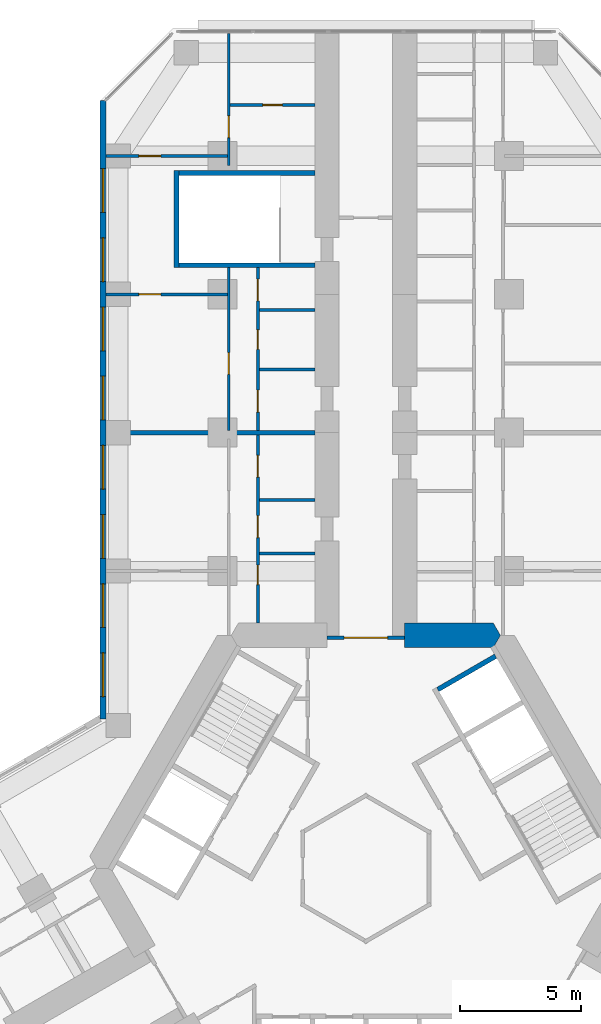
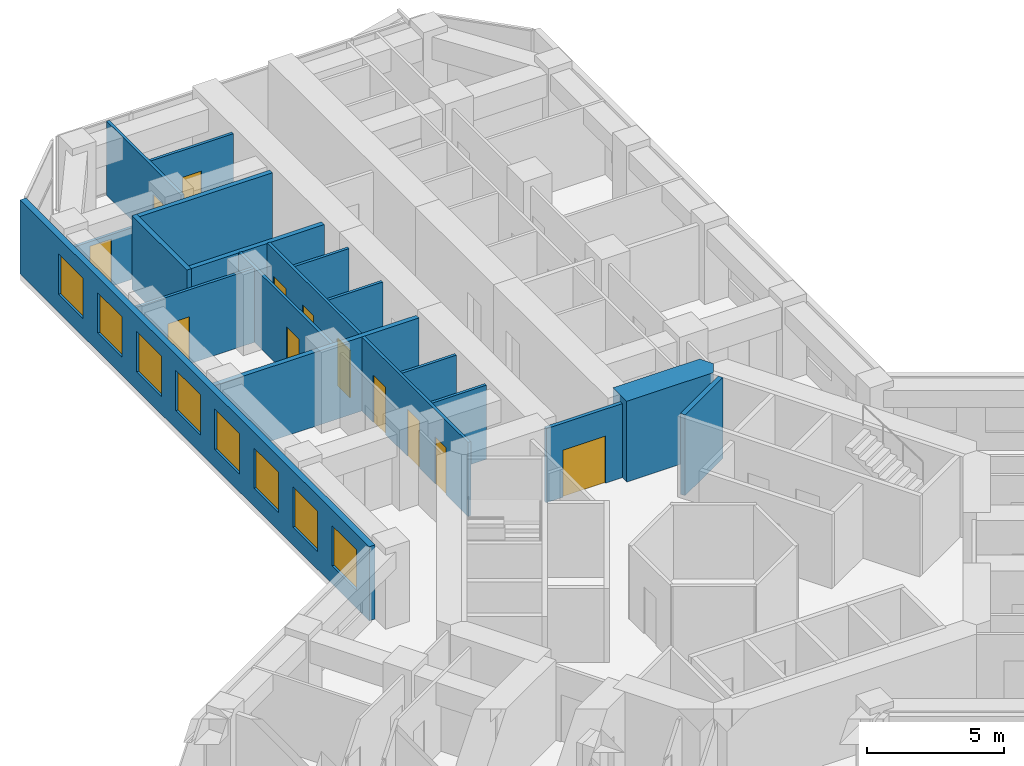
# One storey, part 17 of 21: 19 walls, 12 doors, 8 windows, 20 openings.
"""IFC4 building model written with IfcOpenShell, lengths in metres."""

from ifc_helpers import new_model, si_unit, direction, frame, frame_2d, origin, place, context, subcontext, project, spatial, polyline, rectangle, outline, extrude, material, layer, layer_set, type_object, element, fill, save


model = new_model("IFC4")

# Units and contexts
model_context = context("Model", 3, precision=1e-05, world=origin(), true_north=direction((0.0, 1.0)))
body_context = subcontext(model_context, "Body", "Model", "MODEL_VIEW")
ifc_project = project(units=[si_unit("LENGTHUNIT", "METRE"), si_unit("AREAUNIT", "SQUARE_METRE"), si_unit("VOLUMEUNIT", "CUBIC_METRE"), si_unit("PLANEANGLEUNIT", "RADIAN"), si_unit("MASSUNIT", "GRAM", prefix="KILO")], contexts=[model_context])

# Site, building, storey
site_placement = place(None, origin())
site = spatial("IfcSite", under=ifc_project, at=site_placement, CompositionType="ELEMENT")
building_placement = place(site_placement, origin())
building = spatial("IfcBuilding", under=site, at=building_placement, Name="Kosmar Iwan School Tower", CompositionType="ELEMENT")
storey_placement = place(building_placement, frame((0.0, 0.0, 109.60009765625)))
storey = spatial("IfcBuildingStorey", under=building, at=storey_placement, Name="L27", CompositionType="ELEMENT", Elevation=109.60009765625)

# Wall
ifc_material_1 = material(Name="Concrete C50/60", Category="concrete")
ifc_layer_1 = layer(ifc_material_1, 1.0)
ifc_layer_set_1 = layer_set([ifc_layer_1], Name="Core wall 1000")
wall_type_1 = type_object("IfcWallType", Name="Core wall 1000", PredefinedType="SHEAR", material=ifc_layer_set_1)
wall_1_placement = place(storey_placement, origin())
element("IfcWall", 1, at=wall_1_placement, inside=storey, type_object=wall_type_1, Name="Core wall F090a", PredefinedType="SHEAR", context=body_context, shape_type="SweptSolid", body=[
    extrude(outline(polyline([(1.60009765625, 9.10009765625), (5.25390625, 9.10009765625), (5.54248046875, 9.60009765625), (5.25390625, 10.10009765625), (1.60009765625, 10.10009765625), (1.60009765625, 9.10009765625)])), origin(), (0.0, 0.0, 1.0), 3.599853515625),
])

# Wall, opening, door
ifc_material_2 = material(Name="Steel framed glazed screen", Category="steel")
ifc_layer_2 = layer(ifc_material_2, 0.14990234375)
ifc_layer_set_2 = layer_set([ifc_layer_2], Name="Corridor screen wall 150")
wall_type_2 = type_object("IfcWallType", Name="Corridor screen wall 150", PredefinedType="PARTITIONING", material=ifc_layer_set_2)
wall_2_placement = place(storey_placement, frame((1.60009765625, 9.5, 0.0), z_axis=(0.0, 0.0, 1.0), x_axis=(-1.0, 0.0, 0.0)))
wall_2 = element("IfcWall", 2, at=wall_2_placement, inside=storey, type_object=wall_type_2, Name="Corridor screen A L27", PredefinedType="PARTITIONING", context=body_context, shape_type="SweptSolid", body=[
    extrude(rectangle(XDim=3.2001953125, YDim=0.14990234375, at=frame_2d((1.60009765625, 0.0))), origin(), (0.0, 0.0, 1.0), 3.2998046875),
])
opening_1_placement = place(wall_2_placement, frame((0.699951171875, 0.0, 0.0)))
opening_1 = element("IfcOpeningElement", 3, at=opening_1_placement, cuts=wall_2, Name="Opening D9", PredefinedType="OPENING", context=body_context, shape_type="SweptSolid", body=[
    extrude(rectangle(XDim=1.800048828125, YDim=2.10009765625, at=frame_2d((0.89990234375, 1.050048828125))), frame((0.0, 0.0869140625, 0.0), z_axis=(0.0, -1.0, 0.0), x_axis=(1.0, 0.0, 0.0)), (0.0, 0.0, 1.0), 0.173828125),
])
ifc_material_3 = material(Name="Steel framed glazed smoke door", Category="steel")
door_type_1 = type_object("IfcDoorType", Name="Corridor smoke door pair 1800x2100", OperationType="DOUBLE_DOOR_DOUBLE_SWING", PredefinedType="DOOR", material=ifc_material_3)
door_1_placement = place(opening_1_placement, origin())
door_1 = element("IfcDoor", 4, at=door_1_placement, inside=storey, type_object=door_type_1, Name="Corridor doors A L27", OperationType="DOUBLE_DOOR_DOUBLE_SWING", OverallHeight=2.10009765625, OverallWidth=1.800048828125, PredefinedType="DOOR", context=body_context, shape_type="SweptSolid", body=[
    extrude(rectangle(XDim=1.800048828125, YDim=2.10009765625, at=frame_2d((0.89990234375, 1.050048828125))), frame((0.0, 0.02490234375, 0.0), z_axis=(0.0, -1.0, 0.0), x_axis=(1.0, 0.0, 0.0)), (0.0, 0.0, 1.0), 0.050048828125),
])
fill(opening_1, door_1)

# Wall, openings, doors
ifc_material_4 = material(Name="Gypsum board on steel studs", Category="steel")
ifc_layer_3 = layer(ifc_material_4, 0.1201171875)
ifc_layer_set_3 = layer_set([ifc_layer_3], Name="Dwelling partition 120")
wall_type_3 = type_object("IfcWallType", Name="Dwelling partition 120", PredefinedType="PARTITIONING", material=ifc_layer_set_3)
wall_3_placement = place(storey_placement, frame((-4.449951171875, 10.10009765625, 0.0), z_axis=(0.0, 0.0, 1.0), x_axis=(0.0, 1.0, 0.0)))
wall_3 = element("IfcWall", 5, at=wall_3_placement, inside=storey, type_object=wall_type_3, Name="Partition L27-AL1-W1", PredefinedType="PARTITIONING", context=body_context, shape_type="SweptSolid", body=[
    extrude(rectangle(XDim=7.75, YDim=0.1201171875, at=frame_2d((3.875, 0.0))), origin(), (0.0, 0.0, 1.0), 3.2998046875),
])
opening_2_placement = place(wall_3_placement, frame((1.590087890625, 0.0, 0.0)))
opening_2 = element("IfcOpeningElement", 6, at=opening_2_placement, cuts=wall_3, Name="Opening D3", PredefinedType="OPENING", context=body_context, shape_type="SweptSolid", body=[
    extrude(rectangle(XDim=0.800048828125, YDim=2.10009765625, at=frame_2d((0.39990234375, 1.050048828125))), frame((0.0, 0.072021484375, 0.0), z_axis=(0.0, -1.0, 0.0), x_axis=(1.0, 0.0, 0.0)), (0.0, 0.0, 1.0), 0.14404296875),
])
opening_3_placement = place(wall_3_placement, frame((3.530029296875, 0.0, 0.0)))
opening_3 = element("IfcOpeningElement", 7, at=opening_3_placement, cuts=wall_3, Name="Opening D2", PredefinedType="OPENING", context=body_context, shape_type="SweptSolid", body=[
    extrude(rectangle(XDim=0.89990234375, YDim=2.10009765625, at=frame_2d((0.449951171875, 1.050048828125))), frame((0.0, 0.072021484375, 0.0), z_axis=(0.0, -1.0, 0.0), x_axis=(1.0, 0.0, 0.0)), (0.0, 0.0, 1.0), 0.14404296875),
])
opening_4_placement = place(wall_3_placement, frame((6.014892578125, 0.0, 0.0)))
opening_4 = element("IfcOpeningElement", 8, at=opening_4_placement, cuts=wall_3, Name="Opening D2", PredefinedType="OPENING", context=body_context, shape_type="SweptSolid", body=[
    extrude(rectangle(XDim=0.89990234375, YDim=2.10009765625, at=frame_2d((0.449951171875, 1.050048828125))), frame((0.0, 0.072021484375, 0.0), z_axis=(0.0, -1.0, 0.0), x_axis=(1.0, 0.0, 0.0)), (0.0, 0.0, 1.0), 0.14404296875),
])
ifc_material_5 = material(Name="Timber door in timber frame", Category="wood")
door_type_2 = type_object("IfcDoorType", Name="Internal door 900x2100", OperationType="SINGLE_SWING_LEFT", PredefinedType="DOOR", material=ifc_material_5)
door_2_placement = place(opening_3_placement, origin())
door_2 = element("IfcDoor", 9, at=door_2_placement, inside=storey, type_object=door_type_2, Name="Entrance hall door L27-AL1-S2", OperationType="SINGLE_SWING_RIGHT", OverallHeight=2.10009765625, OverallWidth=0.89990234375, PredefinedType="DOOR", context=body_context, shape_type="SweptSolid", body=[
    extrude(rectangle(XDim=0.89990234375, YDim=2.10009765625, at=frame_2d((0.449951171875, 1.050048828125))), frame((0.0, 0.02490234375, 0.0), z_axis=(0.0, -1.0, 0.0), x_axis=(1.0, 0.0, 0.0)), (0.0, 0.0, 1.0), 0.050048828125),
])
fill(opening_3, door_2)
door_3_placement = place(opening_4_placement, origin())
door_3 = element("IfcDoor", 10, at=door_3_placement, inside=storey, type_object=door_type_2, Name="Pantry door L27-AL1-S3", OperationType="SINGLE_SWING_RIGHT", OverallHeight=2.10009765625, OverallWidth=0.89990234375, PredefinedType="DOOR", context=body_context, shape_type="SweptSolid", body=[
    extrude(rectangle(XDim=0.89990234375, YDim=2.10009765625, at=frame_2d((0.449951171875, 1.050048828125))), frame((0.0, 0.02490234375, 0.0), z_axis=(0.0, -1.0, 0.0), x_axis=(1.0, 0.0, 0.0)), (0.0, 0.0, 1.0), 0.050048828125),
])
fill(opening_4, door_3)
ifc_material_6 = material(Name="Timber door in timber frame", Category="wood")
door_type_3 = type_object("IfcDoorType", Name="Sanitary room door 800x2100", OperationType="SINGLE_SWING_LEFT", PredefinedType="DOOR", material=ifc_material_6)
door_4_placement = place(opening_2_placement, origin())
door_4 = element("IfcDoor", 11, at=door_4_placement, inside=storey, type_object=door_type_3, Name="Bathroom door L27-AL1-S1", OperationType="SINGLE_SWING_LEFT", OverallHeight=2.10009765625, OverallWidth=0.800048828125, PredefinedType="DOOR", context=body_context, shape_type="SweptSolid", body=[
    extrude(rectangle(XDim=0.800048828125, YDim=2.10009765625, at=frame_2d((0.39990234375, 1.050048828125))), frame((0.0, 0.02490234375, 0.0), z_axis=(0.0, -1.0, 0.0), x_axis=(1.0, 0.0, 0.0)), (0.0, 0.0, 1.0), 0.050048828125),
])
fill(opening_2, door_4)

# Walls
for number, where, z_axis, x_axis, name in (
    (12, (-2.10009765625, 12.97998046875, 0.0), (0.0, 0.0, 1.0), (-1.0, 0.0, 0.0), "Partition L27-AL1-Y1"),
    (13, (-2.10009765625, 15.179931640625, 0.0), (0.0, 0.0, 1.0), (-1.0, 0.0, 0.0), "Partition L27-AL1-Y2"),
):
    element("IfcWall", number, at=place(storey_placement, frame(where, z_axis=z_axis, x_axis=x_axis)), inside=storey, type_object=wall_type_3, Name=name, PredefinedType="PARTITIONING", context=body_context, shape_type="SweptSolid", body=[
        extrude(rectangle(XDim=2.289794921875, YDim=0.1201171875, at=frame_2d((1.14501953125, 0.0))), origin(), (0.0, 0.0, 1.0), 3.2998046875),
    ])

# Wall, openings, doors
wall_4_placement = place(storey_placement, frame((-4.449951171875, 18.050048828125, 0.0), z_axis=(0.0, 0.0, 1.0), x_axis=(0.0, 1.0, 0.0)))
wall_4 = element("IfcWall", 14, at=wall_4_placement, inside=storey, type_object=wall_type_3, Name="Partition L27-AL2-W1", PredefinedType="PARTITIONING", context=body_context, shape_type="SweptSolid", body=[
    extrude(rectangle(XDim=6.699951171875, YDim=0.1201171875, at=frame_2d((3.35009765625, 0.0))), origin(), (0.0, 0.0, 1.0), 3.2998046875),
])
opening_5_placement = place(wall_4_placement, frame((0.75, 0.0, 0.0)))
opening_5 = element("IfcOpeningElement", 15, at=opening_5_placement, cuts=wall_4, Name="Opening D2", PredefinedType="OPENING", context=body_context, shape_type="SweptSolid", body=[
    extrude(rectangle(XDim=0.89990234375, YDim=2.10009765625, at=frame_2d((0.449951171875, 1.050048828125))), frame((0.0, 0.072021484375, 0.0), z_axis=(0.0, -1.0, 0.0), x_axis=(1.0, 0.0, 0.0)), (0.0, 0.0, 1.0), 0.14404296875),
])
opening_6_placement = place(wall_4_placement, frame((3.330078125, 0.0, 0.0)))
opening_6 = element("IfcOpeningElement", 16, at=opening_6_placement, cuts=wall_4, Name="Opening D3", PredefinedType="OPENING", context=body_context, shape_type="SweptSolid", body=[
    extrude(rectangle(XDim=0.800048828125, YDim=2.10009765625, at=frame_2d((0.39990234375, 1.050048828125))), frame((0.0, 0.072021484375, 0.0), z_axis=(0.0, -1.0, 0.0), x_axis=(1.0, 0.0, 0.0)), (0.0, 0.0, 1.0), 0.14404296875),
])
opening_7_placement = place(wall_4_placement, frame((5.330078125, 0.0, 0.0)))
opening_7 = element("IfcOpeningElement", 17, at=opening_7_placement, cuts=wall_4, Name="Opening D2", PredefinedType="OPENING", context=body_context, shape_type="SweptSolid", body=[
    extrude(rectangle(XDim=0.89990234375, YDim=2.10009765625, at=frame_2d((0.449951171875, 1.050048828125))), frame((0.0, 0.072021484375, 0.0), z_axis=(0.0, -1.0, 0.0), x_axis=(1.0, 0.0, 0.0)), (0.0, 0.0, 1.0), 0.14404296875),
])
door_5_placement = place(opening_5_placement, origin())
door_5 = element("IfcDoor", 18, at=door_5_placement, inside=storey, type_object=door_type_2, Name="Entrance hall door L27-AL2-S1", OperationType="SINGLE_SWING_LEFT", OverallHeight=2.10009765625, OverallWidth=0.89990234375, PredefinedType="DOOR", context=body_context, shape_type="SweptSolid", body=[
    extrude(rectangle(XDim=0.89990234375, YDim=2.10009765625, at=frame_2d((0.449951171875, 1.050048828125))), frame((0.0, 0.02490234375, 0.0), z_axis=(0.0, -1.0, 0.0), x_axis=(1.0, 0.0, 0.0)), (0.0, 0.0, 1.0), 0.050048828125),
])
fill(opening_5, door_5)
door_6_placement = place(opening_7_placement, frame((0.89990234375, 0.0, 0.0), z_axis=(0.0, 0.0, 1.0), x_axis=(-1.0, 0.0, 0.0)))
door_6 = element("IfcDoor", 19, at=door_6_placement, inside=storey, type_object=door_type_2, Name="Pantry door L27-AL2-S3", OperationType="SINGLE_SWING_LEFT", OverallHeight=2.10009765625, OverallWidth=0.89990234375, PredefinedType="DOOR", context=body_context, shape_type="SweptSolid", body=[
    extrude(rectangle(XDim=0.89990234375, YDim=2.10009765625, at=frame_2d((0.449951171875, 1.050048828125))), frame((0.0, 0.02490234375, 0.0), z_axis=(0.0, -1.0, 0.0), x_axis=(1.0, 0.0, 0.0)), (0.0, 0.0, 1.0), 0.050048828125),
])
fill(opening_7, door_6)
door_7_placement = place(opening_6_placement, origin())
door_7 = element("IfcDoor", 20, at=door_7_placement, inside=storey, type_object=door_type_3, Name="Bathroom door L27-AL2-S2", OperationType="SINGLE_SWING_RIGHT", OverallHeight=2.10009765625, OverallWidth=0.800048828125, PredefinedType="DOOR", context=body_context, shape_type="SweptSolid", body=[
    extrude(rectangle(XDim=0.800048828125, YDim=2.10009765625, at=frame_2d((0.39990234375, 1.050048828125))), frame((0.0, 0.02490234375, 0.0), z_axis=(0.0, -1.0, 0.0), x_axis=(1.0, 0.0, 0.0)), (0.0, 0.0, 1.0), 0.050048828125),
])
fill(opening_6, door_7)

# Wall, opening, door
wall_5_placement = place(storey_placement, frame((-5.64990234375, 18.050048828125, 0.0), z_axis=(0.0, 0.0, 1.0), x_axis=(0.0, 1.0, 0.0)))
wall_5 = element("IfcWall", 21, at=wall_5_placement, inside=storey, type_object=wall_type_3, Name="Partition L27-AL2-W2", PredefinedType="PARTITIONING", context=body_context, shape_type="SweptSolid", body=[
    extrude(rectangle(XDim=6.699951171875, YDim=0.1201171875, at=frame_2d((3.35009765625, 0.0))), origin(), (0.0, 0.0, 1.0), 3.2998046875),
])
opening_8_placement = place(wall_5_placement, frame((2.300048828125, 0.0, 0.0)))
opening_8 = element("IfcOpeningElement", 22, at=opening_8_placement, cuts=wall_5, Name="Opening D2", PredefinedType="OPENING", context=body_context, shape_type="SweptSolid", body=[
    extrude(rectangle(XDim=0.89990234375, YDim=2.10009765625, at=frame_2d((0.449951171875, 1.050048828125))), frame((0.0, 0.072021484375, 0.0), z_axis=(0.0, -1.0, 0.0), x_axis=(1.0, 0.0, 0.0)), (0.0, 0.0, 1.0), 0.14404296875),
])
door_8_placement = place(opening_8_placement, origin())
door_8 = element("IfcDoor", 23, at=door_8_placement, inside=storey, type_object=door_type_2, Name="Studio living room and kitchen door L27-AL2-F1", OperationType="SINGLE_SWING_LEFT", OverallHeight=2.10009765625, OverallWidth=0.89990234375, PredefinedType="DOOR", context=body_context, shape_type="SweptSolid", body=[
    extrude(rectangle(XDim=0.89990234375, YDim=2.10009765625, at=frame_2d((0.449951171875, 1.050048828125))), frame((0.0, 0.02490234375, 0.0), z_axis=(0.0, -1.0, 0.0), x_axis=(1.0, 0.0, 0.0)), (0.0, 0.0, 1.0), 0.050048828125),
])
fill(opening_8, door_8)

# Walls
for number, where, z_axis, x_axis, name in (
    (24, (-2.10009765625, 20.550048828125, 0.0), (0.0, 0.0, 1.0), (-1.0, 0.0, 0.0), "Partition L27-AL2-Y1"),
    (25, (-2.10009765625, 23.010009765625, 0.0), (0.0, 0.0, 1.0), (-1.0, 0.0, 0.0), "Partition L27-AL2-Y2"),
):
    element("IfcWall", number, at=place(storey_placement, frame(where, z_axis=z_axis, x_axis=x_axis)), inside=storey, type_object=wall_type_3, Name=name, PredefinedType="PARTITIONING", context=body_context, shape_type="SweptSolid", body=[
        extrude(rectangle(XDim=2.289794921875, YDim=0.1201171875, at=frame_2d((1.14501953125, 0.0))), origin(), (0.0, 0.0, 1.0), 3.2998046875),
    ])

# Wall, opening, door
wall_6_placement = place(storey_placement, frame((-5.7099609375, 23.64990234375, 0.0), z_axis=(0.0, 0.0, 1.0), x_axis=(-1.0, 0.0, 0.0)))
wall_6 = element("IfcWall", 26, at=wall_6_placement, inside=storey, type_object=wall_type_3, Name="Partition L27-AL2-TB", PredefinedType="PARTITIONING", context=body_context, shape_type="SweptSolid", body=[
    extrude(rectangle(XDim=4.989990234375, YDim=0.1201171875, at=frame_2d((2.4951171875, 0.0))), origin(), (0.0, 0.0, 1.0), 3.2998046875),
])
opening_9_placement = place(wall_6_placement, frame((2.739990234375, 0.0, 0.0)))
opening_9 = element("IfcOpeningElement", 27, at=opening_9_placement, cuts=wall_6, Name="Opening D2", PredefinedType="OPENING", context=body_context, shape_type="SweptSolid", body=[
    extrude(rectangle(XDim=0.89990234375, YDim=2.10009765625, at=frame_2d((0.449951171875, 1.050048828125))), frame((0.0, 0.072021484375, 0.0), z_axis=(0.0, -1.0, 0.0), x_axis=(1.0, 0.0, 0.0)), (0.0, 0.0, 1.0), 0.14404296875),
])
door_9_placement = place(opening_9_placement, origin())
door_9 = element("IfcDoor", 28, at=door_9_placement, inside=storey, type_object=door_type_2, Name="Study door L27-AL2-F1", OperationType="SINGLE_SWING_RIGHT", OverallHeight=2.10009765625, OverallWidth=0.89990234375, PredefinedType="DOOR", context=body_context, shape_type="SweptSolid", body=[
    extrude(rectangle(XDim=0.89990234375, YDim=2.10009765625, at=frame_2d((0.449951171875, 1.050048828125))), frame((0.0, 0.02490234375, 0.0), z_axis=(0.0, -1.0, 0.0), x_axis=(1.0, 0.0, 0.0)), (0.0, 0.0, 1.0), 0.050048828125),
])
fill(opening_9, door_9)

wall_7_placement = place(storey_placement, frame((-5.7099609375, 29.35009765625, 0.0), z_axis=(0.0, 0.0, 1.0), x_axis=(-1.0, 0.0, 0.0)))
wall_7 = element("IfcWall", 29, at=wall_7_placement, inside=storey, type_object=wall_type_3, Name="Partition L27-AL2-TX", PredefinedType="PARTITIONING", context=body_context, shape_type="SweptSolid", body=[
    extrude(rectangle(XDim=4.989990234375, YDim=0.1201171875, at=frame_2d((2.4951171875, 0.0))), origin(), (0.0, 0.0, 1.0), 2.2998046875),
])
opening_10_placement = place(wall_7_placement, frame((2.739990234375, 0.0, 0.0)))
opening_10 = element("IfcOpeningElement", 30, at=opening_10_placement, cuts=wall_7, Name="Opening D2", PredefinedType="OPENING", context=body_context, shape_type="SweptSolid", body=[
    extrude(rectangle(XDim=0.89990234375, YDim=2.10009765625, at=frame_2d((0.449951171875, 1.050048828125))), frame((0.0, 0.072021484375, 0.0), z_axis=(0.0, -1.0, 0.0), x_axis=(1.0, 0.0, 0.0)), (0.0, 0.0, 1.0), 0.14404296875),
])
door_10_placement = place(opening_10_placement, origin())
door_10 = element("IfcDoor", 31, at=door_10_placement, inside=storey, type_object=door_type_2, Name="Study door L27-AL2-T1", OperationType="SINGLE_SWING_RIGHT", OverallHeight=2.10009765625, OverallWidth=0.89990234375, PredefinedType="DOOR", context=body_context, shape_type="SweptSolid", body=[
    extrude(rectangle(XDim=0.89990234375, YDim=2.10009765625, at=frame_2d((0.449951171875, 1.050048828125))), frame((0.0, 0.02490234375, 0.0), z_axis=(0.0, -1.0, 0.0), x_axis=(1.0, 0.0, 0.0)), (0.0, 0.0, 1.0), 0.050048828125),
])
fill(opening_10, door_10)

wall_8_placement = place(storey_placement, frame((-5.64990234375, 28.949951171875, 0.0), z_axis=(0.0, 0.0, 1.0), x_axis=(0.0, 1.0, 0.0)))
wall_8 = element("IfcWall", 32, at=wall_8_placement, inside=storey, type_object=wall_type_3, Name="Partition L27-AL2-TW", PredefinedType="PARTITIONING", context=body_context, shape_type="SweptSolid", body=[
    extrude(rectangle(XDim=5.445068359375, YDim=0.1201171875, at=frame_2d((2.72265625, 0.0))), origin(), (0.0, 0.0, 1.0), 3.2998046875),
])
opening_11_placement = place(wall_8_placement, frame((1.14990234375, 0.0, 0.0)))
opening_11 = element("IfcOpeningElement", 33, at=opening_11_placement, cuts=wall_8, Name="Opening D2", PredefinedType="OPENING", context=body_context, shape_type="SweptSolid", body=[
    extrude(rectangle(XDim=0.89990234375, YDim=2.10009765625, at=frame_2d((0.449951171875, 1.050048828125))), frame((0.0, 0.072021484375, 0.0), z_axis=(0.0, -1.0, 0.0), x_axis=(1.0, 0.0, 0.0)), (0.0, 0.0, 1.0), 0.14404296875),
])
door_11_placement = place(opening_11_placement, origin())
door_11 = element("IfcDoor", 34, at=door_11_placement, inside=storey, type_object=door_type_2, Name="Dressing room door L27-AL2-T3", OperationType="SINGLE_SWING_LEFT", OverallHeight=2.10009765625, OverallWidth=0.89990234375, PredefinedType="DOOR", context=body_context, shape_type="SweptSolid", body=[
    extrude(rectangle(XDim=0.89990234375, YDim=2.10009765625, at=frame_2d((0.449951171875, 1.050048828125))), frame((0.0, 0.02490234375, 0.0), z_axis=(0.0, -1.0, 0.0), x_axis=(1.0, 0.0, 0.0)), (0.0, 0.0, 1.0), 0.050048828125),
])
fill(opening_11, door_11)

wall_9_placement = place(storey_placement, frame((-2.10009765625, 31.449951171875, 0.0), z_axis=(0.0, 0.0, 1.0), x_axis=(-1.0, 0.0, 0.0)))
wall_9 = element("IfcWall", 35, at=wall_9_placement, inside=storey, type_object=wall_type_3, Name="Partition L27-AL2-TY", PredefinedType="PARTITIONING", context=body_context, shape_type="SweptSolid", body=[
    extrude(rectangle(XDim=3.489990234375, YDim=0.1201171875, at=frame_2d((1.7451171875, 0.0))), origin(), (0.0, 0.0, 1.0), 3.2998046875),
])
opening_12_placement = place(wall_9_placement, frame((1.344970703125, 0.0, 0.0)))
opening_12 = element("IfcOpeningElement", 36, at=opening_12_placement, cuts=wall_9, Name="Opening D3", PredefinedType="OPENING", context=body_context, shape_type="SweptSolid", body=[
    extrude(rectangle(XDim=0.800048828125, YDim=2.10009765625, at=frame_2d((0.39990234375, 1.050048828125))), frame((0.0, 0.072021484375, 0.0), z_axis=(0.0, -1.0, 0.0), x_axis=(1.0, 0.0, 0.0)), (0.0, 0.0, 1.0), 0.14404296875),
])
door_12_placement = place(opening_12_placement, origin())
door_12 = element("IfcDoor", 37, at=door_12_placement, inside=storey, type_object=door_type_3, Name="Shower room door L27-AL2-T4", OperationType="SINGLE_SWING_RIGHT", OverallHeight=2.10009765625, OverallWidth=0.800048828125, PredefinedType="DOOR", context=body_context, shape_type="SweptSolid", body=[
    extrude(rectangle(XDim=0.800048828125, YDim=2.10009765625, at=frame_2d((0.39990234375, 1.050048828125))), frame((0.0, 0.02490234375, 0.0), z_axis=(0.0, -1.0, 0.0), x_axis=(1.0, 0.0, 0.0)), (0.0, 0.0, 1.0), 0.050048828125),
])
fill(opening_12, door_12)

# Walls
ifc_material_7 = material(Name="Concrete C35/45", Category="concrete")
ifc_layer_4 = layer(ifc_material_7, 0.199951171875)
ifc_layer_set_4 = layer_set([ifc_layer_4], Name="Escape stair wall 200")
wall_type_4 = type_object("IfcWallType", Name="Escape stair wall 200", PredefinedType="SHEAR", material=ifc_layer_set_4)
for number, where, z_axis, x_axis, name in (
    (38, (-2.10009765625, 24.85009765625, 0.0), (0.0, 0.0, 1.0), (-1.0, 0.0, 0.0), "Stair WS1 wall"),
    (39, (-2.10009765625, 28.64990234375, 0.0), (0.0, 0.0, 1.0), (-1.0, 0.0, 0.0), "Stair WS1 wall"),
):
    element("IfcWall", number, at=place(storey_placement, frame(where, z_axis=z_axis, x_axis=x_axis)), inside=storey, type_object=wall_type_4, Name=name, PredefinedType="SHEAR", context=body_context, shape_type="SweptSolid", body=[
        extrude(rectangle(XDim=5.7998046875, YDim=0.199951171875, at=frame_2d((2.89990234375, 0.0))), origin(), (0.0, 0.0, 1.0), 3.27978515625),
    ])
wall_10_placement = place(storey_placement, frame((-7.800048828125, 24.75, 0.0), z_axis=(0.0, 0.0, 1.0), x_axis=(0.0, 1.0, 0.0)))
element("IfcWall", 40, at=wall_10_placement, inside=storey, type_object=wall_type_4, Name="Stair WS1 wall", PredefinedType="SHEAR", context=body_context, shape_type="SweptSolid", body=[
    extrude(rectangle(XDim=4.0, YDim=0.199951171875, at=frame_2d((2.0, 0.0))), origin(), (0.0, 0.0, 1.0), 3.27978515625),
])

# Wall, openings, windows
ifc_material_8 = material(Name="Black aluminium rainscreen on insulated framing", Category="aluminium")
ifc_layer_5 = layer(ifc_material_8, 0.25)
ifc_layer_set_5 = layer_set([ifc_layer_5], Name="External wall rainscreen 250")
wall_type_5 = type_object("IfcWallType", Name="External wall rainscreen 250", PredefinedType="SOLIDWALL", material=ifc_layer_set_5)
wall_11_placement = place(storey_placement, frame((-10.824951171875, 6.14794921875, 0.0), z_axis=(0.0, 0.0, 1.0), x_axis=(0.0, 1.0, 0.0)))
wall_11 = element("IfcWall", 41, at=wall_11_placement, inside=storey, type_object=wall_type_5, Name="External wall AL L27", PredefinedType="SOLIDWALL", context=body_context, shape_type="SweptSolid", body=[
    extrude(rectangle(XDim=25.4873046875, YDim=0.25, at=frame_2d((12.74365234375, 0.0))), origin(), (0.0, 0.0, 1.0), 3.2998046875),
])
opening_13_placement = place(wall_11_placement, frame((0.927001953125, 0.0, 0.800048828125)))
opening_13 = element("IfcOpeningElement", 42, at=opening_13_placement, cuts=wall_11, Name="Opening W1", PredefinedType="OPENING", context=body_context, shape_type="SweptSolid", body=[
    extrude(rectangle(XDim=1.800048828125, YDim=1.800048828125, at=frame_2d((0.89990234375, 0.89990234375))), frame((0.0, 0.136962890625, 0.0), z_axis=(0.0, -1.0, 0.0), x_axis=(1.0, 0.0, 0.0)), (0.0, 0.0, 1.0), 0.27392578125),
])
opening_14_placement = place(wall_11_placement, frame((3.777099609375, 0.0, 0.800048828125)))
opening_14 = element("IfcOpeningElement", 43, at=opening_14_placement, cuts=wall_11, Name="Opening W1", PredefinedType="OPENING", context=body_context, shape_type="SweptSolid", body=[
    extrude(rectangle(XDim=1.800048828125, YDim=1.800048828125, at=frame_2d((0.89990234375, 0.89990234375))), frame((0.0, 0.136962890625, 0.0), z_axis=(0.0, -1.0, 0.0), x_axis=(1.0, 0.0, 0.0)), (0.0, 0.0, 1.0), 0.27392578125),
])
opening_15_placement = place(wall_11_placement, frame((6.626953125, 0.0, 0.800048828125)))
opening_15 = element("IfcOpeningElement", 44, at=opening_15_placement, cuts=wall_11, Name="Opening W1", PredefinedType="OPENING", context=body_context, shape_type="SweptSolid", body=[
    extrude(rectangle(XDim=1.800048828125, YDim=1.800048828125, at=frame_2d((0.89990234375, 0.89990234375))), frame((0.0, 0.136962890625, 0.0), z_axis=(0.0, -1.0, 0.0), x_axis=(1.0, 0.0, 0.0)), (0.0, 0.0, 1.0), 0.27392578125),
])
opening_16_placement = place(wall_11_placement, frame((9.47705078125, 0.0, 0.800048828125)))
opening_16 = element("IfcOpeningElement", 45, at=opening_16_placement, cuts=wall_11, Name="Opening W1", PredefinedType="OPENING", context=body_context, shape_type="SweptSolid", body=[
    extrude(rectangle(XDim=1.800048828125, YDim=1.800048828125, at=frame_2d((0.89990234375, 0.89990234375))), frame((0.0, 0.136962890625, 0.0), z_axis=(0.0, -1.0, 0.0), x_axis=(1.0, 0.0, 0.0)), (0.0, 0.0, 1.0), 0.27392578125),
])
opening_17_placement = place(wall_11_placement, frame((12.326904296875, 0.0, 0.800048828125)))
opening_17 = element("IfcOpeningElement", 46, at=opening_17_placement, cuts=wall_11, Name="Opening W1", PredefinedType="OPENING", context=body_context, shape_type="SweptSolid", body=[
    extrude(rectangle(XDim=1.800048828125, YDim=1.800048828125, at=frame_2d((0.89990234375, 0.89990234375))), frame((0.0, 0.136962890625, 0.0), z_axis=(0.0, -1.0, 0.0), x_axis=(1.0, 0.0, 0.0)), (0.0, 0.0, 1.0), 0.27392578125),
])
opening_18_placement = place(wall_11_placement, frame((15.177001953125, 0.0, 0.800048828125)))
opening_18 = element("IfcOpeningElement", 47, at=opening_18_placement, cuts=wall_11, Name="Opening W1", PredefinedType="OPENING", context=body_context, shape_type="SweptSolid", body=[
    extrude(rectangle(XDim=1.800048828125, YDim=1.800048828125, at=frame_2d((0.89990234375, 0.89990234375))), frame((0.0, 0.136962890625, 0.0), z_axis=(0.0, -1.0, 0.0), x_axis=(1.0, 0.0, 0.0)), (0.0, 0.0, 1.0), 0.27392578125),
])
opening_19_placement = place(wall_11_placement, frame((18.027099609375, 0.0, 0.800048828125)))
opening_19 = element("IfcOpeningElement", 48, at=opening_19_placement, cuts=wall_11, Name="Opening W1", PredefinedType="OPENING", context=body_context, shape_type="SweptSolid", body=[
    extrude(rectangle(XDim=1.800048828125, YDim=1.800048828125, at=frame_2d((0.89990234375, 0.89990234375))), frame((0.0, 0.136962890625, 0.0), z_axis=(0.0, -1.0, 0.0), x_axis=(1.0, 0.0, 0.0)), (0.0, 0.0, 1.0), 0.27392578125),
])
opening_20_placement = place(wall_11_placement, frame((20.876953125, 0.0, 0.800048828125)))
opening_20 = element("IfcOpeningElement", 49, at=opening_20_placement, cuts=wall_11, Name="Opening W1", PredefinedType="OPENING", context=body_context, shape_type="SweptSolid", body=[
    extrude(rectangle(XDim=1.800048828125, YDim=1.800048828125, at=frame_2d((0.89990234375, 0.89990234375))), frame((0.0, 0.136962890625, 0.0), z_axis=(0.0, -1.0, 0.0), x_axis=(1.0, 0.0, 0.0)), (0.0, 0.0, 1.0), 0.27392578125),
])
ifc_material_9 = material(Name="Black aluminium frame with dark triple glazing", Category="aluminium")
window_type = type_object("IfcWindowType", Name="Window 1800x1800", PartitioningType="SINGLE_PANEL", PredefinedType="WINDOW", material=ifc_material_9)
window_1_placement = place(opening_13_placement, origin())
window_1 = element("IfcWindow", 50, at=window_1_placement, inside=storey, type_object=window_type, Name="Window AL L27 -1", OverallHeight=1.800048828125, OverallWidth=1.800048828125, PartitioningType="SINGLE_PANEL", PredefinedType="WINDOW", context=body_context, shape_type="SweptSolid", body=[
    extrude(rectangle(XDim=1.800048828125, YDim=1.800048828125, at=frame_2d((0.89990234375, 0.89990234375))), frame((0.0, 0.030029296875, 0.0), z_axis=(0.0, -1.0, 0.0), x_axis=(1.0, 0.0, 0.0)), (0.0, 0.0, 1.0), 0.06005859375),
])
fill(opening_13, window_1)
window_2_placement = place(opening_14_placement, origin())
window_2 = element("IfcWindow", 51, at=window_2_placement, inside=storey, type_object=window_type, Name="Window AL L27 0", OverallHeight=1.800048828125, OverallWidth=1.800048828125, PartitioningType="SINGLE_PANEL", PredefinedType="WINDOW", context=body_context, shape_type="SweptSolid", body=[
    extrude(rectangle(XDim=1.800048828125, YDim=1.800048828125, at=frame_2d((0.89990234375, 0.89990234375))), frame((0.0, 0.030029296875, 0.0), z_axis=(0.0, -1.0, 0.0), x_axis=(1.0, 0.0, 0.0)), (0.0, 0.0, 1.0), 0.06005859375),
])
fill(opening_14, window_2)
window_3_placement = place(opening_15_placement, origin())
window_3 = element("IfcWindow", 52, at=window_3_placement, inside=storey, type_object=window_type, Name="Window AL L27 1", OverallHeight=1.800048828125, OverallWidth=1.800048828125, PartitioningType="SINGLE_PANEL", PredefinedType="WINDOW", context=body_context, shape_type="SweptSolid", body=[
    extrude(rectangle(XDim=1.800048828125, YDim=1.800048828125, at=frame_2d((0.89990234375, 0.89990234375))), frame((0.0, 0.030029296875, 0.0), z_axis=(0.0, -1.0, 0.0), x_axis=(1.0, 0.0, 0.0)), (0.0, 0.0, 1.0), 0.06005859375),
])
fill(opening_15, window_3)
window_4_placement = place(opening_16_placement, origin())
window_4 = element("IfcWindow", 53, at=window_4_placement, inside=storey, type_object=window_type, Name="Window AL L27 2", OverallHeight=1.800048828125, OverallWidth=1.800048828125, PartitioningType="SINGLE_PANEL", PredefinedType="WINDOW", context=body_context, shape_type="SweptSolid", body=[
    extrude(rectangle(XDim=1.800048828125, YDim=1.800048828125, at=frame_2d((0.89990234375, 0.89990234375))), frame((0.0, 0.030029296875, 0.0), z_axis=(0.0, -1.0, 0.0), x_axis=(1.0, 0.0, 0.0)), (0.0, 0.0, 1.0), 0.06005859375),
])
fill(opening_16, window_4)
window_5_placement = place(opening_17_placement, origin())
window_5 = element("IfcWindow", 54, at=window_5_placement, inside=storey, type_object=window_type, Name="Window AL L27 3", OverallHeight=1.800048828125, OverallWidth=1.800048828125, PartitioningType="SINGLE_PANEL", PredefinedType="WINDOW", context=body_context, shape_type="SweptSolid", body=[
    extrude(rectangle(XDim=1.800048828125, YDim=1.800048828125, at=frame_2d((0.89990234375, 0.89990234375))), frame((0.0, 0.030029296875, 0.0), z_axis=(0.0, -1.0, 0.0), x_axis=(1.0, 0.0, 0.0)), (0.0, 0.0, 1.0), 0.06005859375),
])
fill(opening_17, window_5)
window_6_placement = place(opening_18_placement, origin())
window_6 = element("IfcWindow", 55, at=window_6_placement, inside=storey, type_object=window_type, Name="Window AL L27 4", OverallHeight=1.800048828125, OverallWidth=1.800048828125, PartitioningType="SINGLE_PANEL", PredefinedType="WINDOW", context=body_context, shape_type="SweptSolid", body=[
    extrude(rectangle(XDim=1.800048828125, YDim=1.800048828125, at=frame_2d((0.89990234375, 0.89990234375))), frame((0.0, 0.030029296875, 0.0), z_axis=(0.0, -1.0, 0.0), x_axis=(1.0, 0.0, 0.0)), (0.0, 0.0, 1.0), 0.06005859375),
])
fill(opening_18, window_6)
window_7_placement = place(opening_19_placement, origin())
window_7 = element("IfcWindow", 56, at=window_7_placement, inside=storey, type_object=window_type, Name="Window AL L27 5", OverallHeight=1.800048828125, OverallWidth=1.800048828125, PartitioningType="SINGLE_PANEL", PredefinedType="WINDOW", context=body_context, shape_type="SweptSolid", body=[
    extrude(rectangle(XDim=1.800048828125, YDim=1.800048828125, at=frame_2d((0.89990234375, 0.89990234375))), frame((0.0, 0.030029296875, 0.0), z_axis=(0.0, -1.0, 0.0), x_axis=(1.0, 0.0, 0.0)), (0.0, 0.0, 1.0), 0.06005859375),
])
fill(opening_19, window_7)
window_8_placement = place(opening_20_placement, origin())
window_8 = element("IfcWindow", 57, at=window_8_placement, inside=storey, type_object=window_type, Name="Window AL L27 6", OverallHeight=1.800048828125, OverallWidth=1.800048828125, PartitioningType="SINGLE_PANEL", PredefinedType="WINDOW", context=body_context, shape_type="SweptSolid", body=[
    extrude(rectangle(XDim=1.800048828125, YDim=1.800048828125, at=frame_2d((0.89990234375, 0.89990234375))), frame((0.0, 0.030029296875, 0.0), z_axis=(0.0, -1.0, 0.0), x_axis=(1.0, 0.0, 0.0)), (0.0, 0.0, 1.0), 0.06005859375),
])
fill(opening_20, window_8)

# Walls
ifc_material_10 = material(Name="Concrete C50/60", Category="concrete")
ifc_layer_6 = layer(ifc_material_10, 0.199951171875)
ifc_layer_set_6 = layer_set([ifc_layer_6], Name="Lift shaft wall 200")
wall_type_6 = type_object("IfcWallType", Name="Lift shaft wall 200", PredefinedType="SHEAR", material=ifc_layer_set_6)
wall_12_placement = place(storey_placement, frame((2.962646484375, 7.368408203125, 0.0), z_axis=(0.0, 0.0, 1.0), x_axis=(0.866027397988, 0.499996545922, 0.0)))
element("IfcWall", 58, at=wall_12_placement, inside=storey, type_object=wall_type_6, Name="Lift shaft wall AC 2", PredefinedType="SHEAR", context=body_context, shape_type="SweptSolid", body=[
    extrude(rectangle(XDim=2.75, YDim=0.199951171875, at=frame_2d((1.375, 0.0))), origin(), (0.0, 0.0, 1.0), 3.599853515625),
])
ifc_material_11 = material(Name="Concrete block masonry", Category="masonry")
ifc_layer_7 = layer(ifc_material_11, 0.199951171875)
ifc_layer_set_7 = layer_set([ifc_layer_7], Name="Party wall 200")
wall_type_7 = type_object("IfcWallType", Name="Party wall 200", PredefinedType="PARTITIONING", material=ifc_layer_set_7)
wall_13_placement = place(storey_placement, frame((-2.10009765625, 17.949951171875, 0.0), z_axis=(0.0, 0.0, 1.0), x_axis=(-1.0, 0.0, 0.0)))
element("IfcWall", 59, at=wall_13_placement, inside=storey, type_object=wall_type_7, Name="Partition L27-AL2-PW", PredefinedType="PARTITIONING", context=body_context, shape_type="SweptSolid", body=[
    extrude(rectangle(XDim=8.599853515625, YDim=0.199951171875, at=frame_2d((4.2998046875, 0.0))), origin(), (0.0, 0.0, 1.0), 3.2998046875),
])

save(model, "model.ifc")
